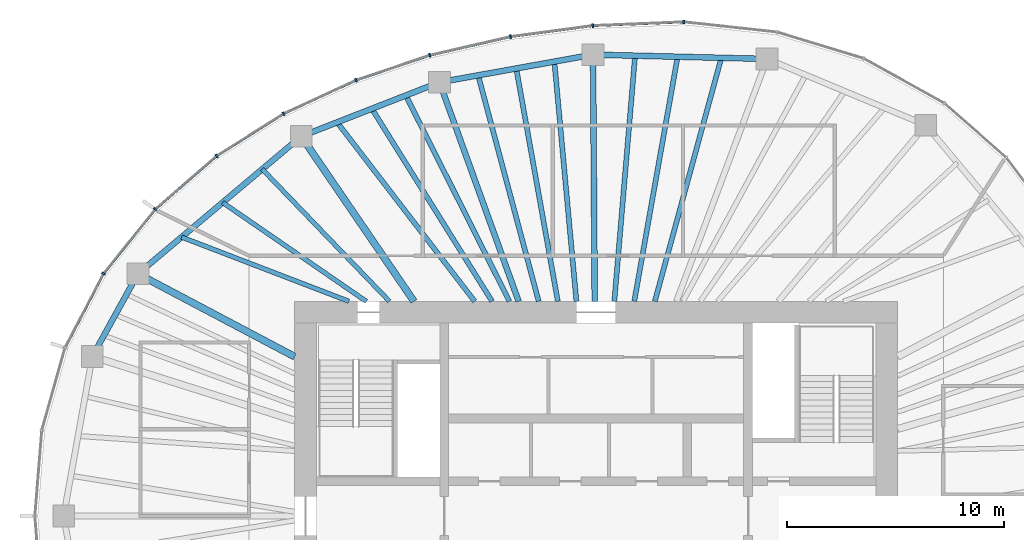
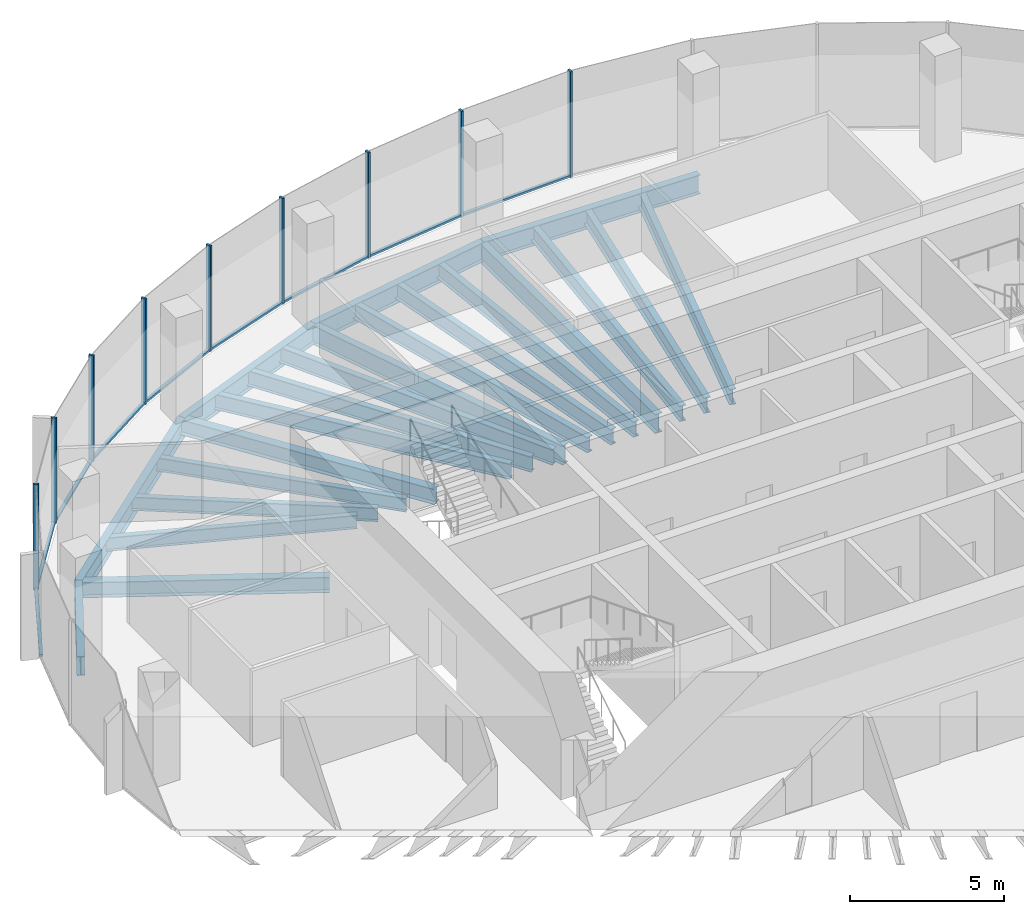
# One storey, part 5 of 11: 21 beams, 18 members, 5 elements without a shape of their own.
"""IFC4 building model written with IfcOpenShell, lengths in metres."""

from ifc_helpers import new_model, si_unit, direction, frame, origin, origin_2d, place, context, subcontext, project, spatial, rectangle, i_section, extrude, material, material_profile, profile_set, type_object, element, aggregate, save


model = new_model("IFC4")

# Units and contexts
model_context = context("Model", 3, precision=1e-05, world=origin(), true_north=direction((0.0, 1.0)))
body_context = subcontext(model_context, "Body", "Model", "MODEL_VIEW")
ifc_project = project(units=[si_unit("LENGTHUNIT", "METRE"), si_unit("AREAUNIT", "SQUARE_METRE"), si_unit("VOLUMEUNIT", "CUBIC_METRE"), si_unit("PLANEANGLEUNIT", "RADIAN"), si_unit("MASSUNIT", "GRAM", prefix="KILO")], contexts=[model_context])

# Site, building, storey
site_placement = place(None, origin())
site = spatial("IfcSite", under=ifc_project, at=site_placement, CompositionType="ELEMENT")
building_placement = place(site_placement, origin())
building = spatial("IfcBuilding", under=site, at=building_placement, Name="Ghaith Harvest Tower", CompositionType="ELEMENT")
storey_placement = place(building_placement, frame((0.0, 0.0, 317.39990234375)))
storey = spatial("IfcBuildingStorey", under=building, at=storey_placement, Name="L71", CompositionType="ELEMENT", Elevation=317.39990234375)

# Curtain wall, member
ifc_material_1 = material(Name="Black anodised aluminium and fritted glass", Category="aluminium")
curtain_wall_type = type_object("IfcCurtainWallType", Name="CW-T CURTAIN WALL", PredefinedType="NOTDEFINED", material=ifc_material_1)
curtain_wall_1_placement = place(storey_placement, origin())
curtain_wall_1 = element("IfcCurtainWall", 1, at=curtain_wall_1_placement, inside=storey, type_object=curtain_wall_type, Name="Curtain wall CW-T bay 05 L71", PredefinedType="NOTDEFINED")
ifc_material_2 = material(Name="Aluminium, black anodised", Category="aluminium")
ifc_material_profile_1 = material_profile(ifc_material_2, rectangle(XDim=0.080078125, YDim=0.179931640625, at=origin_2d()), Name="CW-T MULLION 80x180")
ifc_profile_set_1 = profile_set([ifc_material_profile_1], Name="Aluminium, black anodised")
member_type_1 = type_object("IfcMemberType", Name="CW-T MULLION 80x180", PredefinedType="MULLION", material=ifc_profile_set_1)
member_1_placement = place(storey_placement, frame((4.037841796875, 22.776611328125, 0.0), z_axis=(0.0, 0.0, 1.0), x_axis=(-0.999388631236, 0.034962319079, 0.0)))
member_1 = element("IfcMember", 2, at=member_1_placement, type_object=member_type_1, Name="CW-T mullion 2 bay 05 L71", PredefinedType="MULLION", context=body_context, shape_type="SweptSolid", body=[
    extrude(rectangle(XDim=0.080078125, YDim=0.179931640625, at=origin_2d()), origin(), (0.0, 0.0, 1.0), 4.2001953125),
])

# Curtain wall, members
curtain_wall_2_placement = place(storey_placement, origin())
curtain_wall_2 = element("IfcCurtainWall", 3, at=curtain_wall_2_placement, inside=storey, type_object=curtain_wall_type, Name="Curtain wall CW-T bay 06 L71", PredefinedType="NOTDEFINED")
member_2_placement = place(storey_placement, frame((-0.15478515625, 22.60595703125, 0.0), z_axis=(0.0, 0.0, 1.0), x_axis=(-0.996414855482, -0.084601629853, 0.0)))
member_2 = element("IfcMember", 4, at=member_2_placement, type_object=member_type_1, Name="CW-T mullion 1 bay 06 L71", PredefinedType="MULLION", context=body_context, shape_type="SweptSolid", body=[
    extrude(rectangle(XDim=0.080078125, YDim=0.179931640625, at=origin_2d()), origin(), (0.0, 0.0, 1.0), 4.2001953125),
])
member_3_placement = place(storey_placement, frame((-3.946533203125, 22.0986328125, 0.0), z_axis=(0.0, 0.0, 1.0), x_axis=(-0.983843447681, -0.179030920389, 0.0)))
member_3 = element("IfcMember", 5, at=member_3_placement, type_object=member_type_1, Name="CW-T mullion 2 bay 06 L71", PredefinedType="MULLION", context=body_context, shape_type="SweptSolid", body=[
    extrude(rectangle(XDim=0.080078125, YDim=0.179931640625, at=origin_2d()), origin(), (0.0, 0.0, 1.0), 4.2001953125),
])

curtain_wall_3_placement = place(storey_placement, origin())
curtain_wall_3 = element("IfcCurtainWall", 6, at=curtain_wall_3_placement, inside=storey, type_object=curtain_wall_type, Name="Curtain wall CW-T bay 07 L71", PredefinedType="NOTDEFINED")
member_4_placement = place(storey_placement, frame((-7.6708984375, 21.23828125, 0.0), z_axis=(0.0, 0.0, 1.0), x_axis=(-0.962552491436, -0.27109537294, 0.0)))
member_4 = element("IfcMember", 7, at=member_4_placement, type_object=member_type_1, Name="CW-T mullion 1 bay 07 L71", PredefinedType="MULLION", context=body_context, shape_type="SweptSolid", body=[
    extrude(rectangle(XDim=0.080078125, YDim=0.179931640625, at=origin_2d()), origin(), (0.0, 0.0, 1.0), 4.2001953125),
])
member_5_placement = place(storey_placement, frame((-11.0673828125, 20.093017578125, 0.0), z_axis=(0.0, 0.0, 1.0), x_axis=(-0.928624420706, -0.371021138573, 0.0)))
member_5 = element("IfcMember", 8, at=member_5_placement, type_object=member_type_1, Name="CW-T mullion 2 bay 07 L71", PredefinedType="MULLION", context=body_context, shape_type="SweptSolid", body=[
    extrude(rectangle(XDim=0.080078125, YDim=0.179931640625, at=origin_2d()), origin(), (0.0, 0.0, 1.0), 4.2001953125),
])

curtain_wall_4_placement = place(storey_placement, origin())
curtain_wall_4 = element("IfcCurtainWall", 9, at=curtain_wall_4_placement, inside=storey, type_object=curtain_wall_type, Name="Curtain wall CW-T bay 08 L71", PredefinedType="NOTDEFINED")
member_6_placement = place(storey_placement, frame((-14.40478515625, 18.5478515625, 0.0), z_axis=(0.0, 0.0, 1.0), x_axis=(-0.87867173244, -0.477426420101, 0.0)))
member_6 = element("IfcMember", 10, at=member_6_placement, type_object=member_type_1, Name="CW-T mullion 1 bay 08 L71", PredefinedType="MULLION", context=body_context, shape_type="SweptSolid", body=[
    extrude(rectangle(XDim=0.080078125, YDim=0.179931640625, at=origin_2d()), origin(), (0.0, 0.0, 1.0), 4.2001953125),
])
member_7_placement = place(storey_placement, frame((-17.49462890625, 16.600830078125, 0.0), z_axis=(0.0, 0.0, 1.0), x_axis=(-0.802189888678, -0.597068993084, 0.0)))
member_7 = element("IfcMember", 11, at=member_7_placement, type_object=member_type_1, Name="CW-T mullion 2 bay 08 L71", PredefinedType="MULLION", context=body_context, shape_type="SweptSolid", body=[
    extrude(rectangle(XDim=0.080078125, YDim=0.179931640625, at=origin_2d()), origin(), (0.0, 0.0, 1.0), 4.2001953125),
])

curtain_wall_5_placement = place(storey_placement, origin())
curtain_wall_5 = element("IfcCurtainWall", 12, at=curtain_wall_5_placement, inside=storey, type_object=curtain_wall_type, Name="Curtain wall CW-T bay 09 L71", PredefinedType="NOTDEFINED")
member_8_placement = place(storey_placement, frame((-20.324462890625, 14.141845703125, 0.0), z_axis=(0.0, 0.0, 1.0), x_axis=(-0.692826491995, -0.72110432809, 0.0)))
member_8 = element("IfcMember", 13, at=member_8_placement, type_object=member_type_1, Name="CW-T mullion 1 bay 09 L71", PredefinedType="MULLION", context=body_context, shape_type="SweptSolid", body=[
    extrude(rectangle(XDim=0.080078125, YDim=0.179931640625, at=origin_2d()), origin(), (0.0, 0.0, 1.0), 4.2001953125),
])
member_9_placement = place(storey_placement, frame((-22.706298828125, 11.176513671875, 0.0), z_axis=(0.0, 0.0, 1.0), x_axis=(-0.545865412621, -0.837872872997, 0.0)))
member_9 = element("IfcMember", 14, at=member_9_placement, type_object=member_type_1, Name="CW-T mullion 2 bay 09 L71", PredefinedType="MULLION", context=body_context, shape_type="SweptSolid", body=[
    extrude(rectangle(XDim=0.080078125, YDim=0.179931640625, at=origin_2d()), origin(), (0.0, 0.0, 1.0), 4.2001953125),
])

# Member
ifc_material_3 = material(Name="Aluminium, black anodised", Category="aluminium")
ifc_material_profile_2 = material_profile(ifc_material_3, rectangle(XDim=0.1201171875, YDim=0.080078125, at=origin_2d()), Name="CW-T TRANSOM 120x80")
ifc_profile_set_2 = profile_set([ifc_material_profile_2], Name="Aluminium, black anodised")
member_type_2 = type_object("IfcMemberType", Name="CW-T TRANSOM 120x80", PredefinedType="USERDEFINED", material=ifc_profile_set_2)
member_10_placement = place(storey_placement, frame((3.997802734375, 22.77490234375, 0.0400390625), z_axis=(-0.999174207562, -0.040631304968, 0.0), x_axis=(0.040631304968, -0.999174207562, 0.0)))
member_10 = element("IfcMember", 15, at=member_10_placement, type_object=member_type_2, Name="CW-T transom 2 bay 05 L71", ObjectType="TRANSOM", PredefinedType="USERDEFINED", context=body_context, shape_type="SweptSolid", body=[
    extrude(rectangle(XDim=0.1201171875, YDim=0.080078125, at=origin_2d()), origin(), (0.0, 0.0, 1.0), 4.115966796875),
])

aggregate(curtain_wall_1, [member_1, member_10])

member_11_placement = place(storey_placement, frame((-0.1943359375, 22.6005859375, 0.0400390625), z_axis=(-0.99117202259, -0.132582131655, 0.0), x_axis=(0.132582131655, -0.99117202259, 0.0)))
member_11 = element("IfcMember", 16, at=member_11_placement, type_object=member_type_2, Name="CW-T transom 1 bay 06 L71", ObjectType="TRANSOM", PredefinedType="USERDEFINED", context=body_context, shape_type="SweptSolid", body=[
    extrude(rectangle(XDim=0.1201171875, YDim=0.080078125, at=origin_2d()), origin(), (0.0, 0.0, 1.0), 3.745361328125),
])

member_12_placement = place(storey_placement, frame((-3.9853515625, 22.089599609375, 0.0400390625), z_axis=(-0.974344997799, -0.225059603803, 0.0), x_axis=(0.225059603803, -0.974344997799, 0.0)))
member_12 = element("IfcMember", 17, at=member_12_placement, type_object=member_type_2, Name="CW-T transom 2 bay 06 L71", ObjectType="TRANSOM", PredefinedType="USERDEFINED", context=body_context, shape_type="SweptSolid", body=[
    extrude(rectangle(XDim=0.1201171875, YDim=0.080078125, at=origin_2d()), origin(), (0.0, 0.0, 1.0), 3.742431640625),
])

aggregate(curtain_wall_2, [member_2, member_11, member_3, member_12])

member_13_placement = place(storey_placement, frame((-7.708740234375, 21.2255859375, 0.0400390625), z_axis=(-0.9475698206, -0.319548799228, 0.0), x_axis=(0.319548799228, -0.9475698206, 0.0)))
member_13 = element("IfcMember", 18, at=member_13_placement, type_object=member_type_2, Name="CW-T transom 1 bay 07 L71", ObjectType="TRANSOM", PredefinedType="USERDEFINED", context=body_context, shape_type="SweptSolid", body=[
    extrude(rectangle(XDim=0.1201171875, YDim=0.080078125, at=origin_2d()), origin(), (0.0, 0.0, 1.0), 3.504638671875),
])

member_14_placement = place(storey_placement, frame((-11.103759765625, 20.076171875, 0.0400390625), z_axis=(-0.907472177056, -0.420112184862, 0.0), x_axis=(0.420112184862, -0.907472177056, 0.0)))
member_14 = element("IfcMember", 19, at=member_14_placement, type_object=member_type_2, Name="CW-T transom 2 bay 07 L71", ObjectType="TRANSOM", PredefinedType="USERDEFINED", context=body_context, shape_type="SweptSolid", body=[
    extrude(rectangle(XDim=0.1201171875, YDim=0.080078125, at=origin_2d()), origin(), (0.0, 0.0, 1.0), 3.597900390625),
])

aggregate(curtain_wall_3, [member_4, member_13, member_5, member_14])

member_15_placement = place(storey_placement, frame((-14.438720703125, 18.5263671875, 0.0400390625), z_axis=(-0.846053602505, -0.533097835006, 0.0), x_axis=(0.533097835006, -0.846053602505, 0.0)))
member_15 = element("IfcMember", 20, at=member_15_placement, type_object=member_type_2, Name="CW-T transom 1 bay 08 L71", ObjectType="TRANSOM", PredefinedType="USERDEFINED", context=body_context, shape_type="SweptSolid", body=[
    extrude(rectangle(XDim=0.1201171875, YDim=0.080078125, at=origin_2d()), origin(), (0.0, 0.0, 1.0), 3.572021484375),
])

member_16_placement = place(storey_placement, frame((-17.52490234375, 16.574462890625, 0.0400390625), z_axis=(-0.754851889287, -0.65589528527, 0.0), x_axis=(0.65589528527, -0.754851889287, 0.0)))
member_16 = element("IfcMember", 21, at=member_16_placement, type_object=member_type_2, Name="CW-T transom 2 bay 08 L71", ObjectType="TRANSOM", PredefinedType="USERDEFINED", context=body_context, shape_type="SweptSolid", body=[
    extrude(rectangle(XDim=0.1201171875, YDim=0.080078125, at=origin_2d()), origin(), (0.0, 0.0, 1.0), 3.668701171875),
])

aggregate(curtain_wall_4, [member_6, member_15, member_7, member_16])

member_17_placement = place(storey_placement, frame((-20.349365234375, 14.110595703125, 0.0400390625), z_axis=(-0.626253073761, -0.779619835307, 0.0), x_axis=(0.779619835307, -0.626253073761, 0.0)))
member_17 = element("IfcMember", 22, at=member_17_placement, type_object=member_type_2, Name="CW-T transom 1 bay 09 L71", ObjectType="TRANSOM", PredefinedType="USERDEFINED", context=body_context, shape_type="SweptSolid", body=[
    extrude(rectangle(XDim=0.1201171875, YDim=0.080078125, at=origin_2d()), origin(), (0.0, 0.0, 1.0), 3.723388671875),
])

member_18_placement = place(storey_placement, frame((-22.724609375, 11.14111328125, 0.0400390625), z_axis=(-0.461242681347, -0.887274021317, 0.0), x_axis=(0.887274021317, -0.461242681347, 0.0)))
member_18 = element("IfcMember", 23, at=member_18_placement, type_object=member_type_2, Name="CW-T transom 2 bay 09 L71", ObjectType="TRANSOM", PredefinedType="USERDEFINED", context=body_context, shape_type="SweptSolid", body=[
    extrude(rectangle(XDim=0.1201171875, YDim=0.080078125, at=origin_2d()), origin(), (0.0, 0.0, 1.0), 3.77197265625),
])

aggregate(curtain_wall_5, [member_8, member_17, member_9, member_18])

# Beams
ifc_material_4 = material(Name="Steel ASTM A992 Grade 50", Category="steel")
ifc_material_profile_3 = material_profile(ifc_material_4, i_section(OverallWidth=0.26611328125, OverallDepth=0.758056640625, WebThickness=0.013916015625, FlangeThickness=0.019287109375, at=origin_2d()), Name="W760X161")
ifc_profile_set_3 = profile_set([ifc_material_profile_3], Name="Steel ASTM A992 Grade 50")
beam_type_1 = type_object("IfcBeamType", Name="E760-161 W760X161", PredefinedType="SPANDREL", material=ifc_profile_set_3)
beam_1_placement = place(storey_placement, frame((7.8779296875, 21.072021484375, -0.548828125), z_axis=(-0.999692679676, 0.024790042413, 0.0), x_axis=(-0.024790042413, -0.999692679676, 0.0)))
element("IfcBeam", 24, at=beam_1_placement, inside=storey, type_object=beam_type_1, Name="Edge beam E05 L71", PredefinedType="SPANDREL", context=body_context, shape_type="SweptSolid", body=[
    extrude(i_section(OverallWidth=0.26611328125, OverallDepth=0.758056640625, WebThickness=0.013916015625, FlangeThickness=0.019287109375, at=origin_2d()), origin(), (0.0, 0.0, 1.0), 8.0263671875),
])
beam_2_placement = place(storey_placement, frame((-0.14599609375, 21.27099609375, -0.548828125), z_axis=(-0.984177047684, -0.177187863051, 0.0), x_axis=(0.177187863051, -0.984177047684, 0.0)))
element("IfcBeam", 25, at=beam_2_placement, inside=storey, type_object=beam_type_1, Name="Edge beam E06 L71", PredefinedType="SPANDREL", context=body_context, shape_type="SweptSolid", body=[
    extrude(i_section(OverallWidth=0.26611328125, OverallDepth=0.758056640625, WebThickness=0.013916015625, FlangeThickness=0.019287109375, at=origin_2d()), origin(), (0.0, 0.0, 1.0), 7.189697265625),
])
beam_3_placement = place(storey_placement, frame((-7.221923828125, 19.9970703125, -0.548828125), z_axis=(-0.931322768207, -0.364194867371, 0.0), x_axis=(0.364194867371, -0.931322768207, 0.0)))
element("IfcBeam", 26, at=beam_3_placement, inside=storey, type_object=beam_type_1, Name="Edge beam E07 L71", PredefinedType="SPANDREL", context=body_context, shape_type="SweptSolid", body=[
    extrude(i_section(OverallWidth=0.26611328125, OverallDepth=0.758056640625, WebThickness=0.013916015625, FlangeThickness=0.019287109375, at=origin_2d()), origin(), (0.0, 0.0, 1.0), 6.843017578125),
])
beam_4_placement = place(storey_placement, frame((-13.594970703125, 17.5048828125, -0.548828125), z_axis=(-0.765021818761, -0.64400436087, 0.0), x_axis=(0.64400436087, -0.765021818761, 0.0)))
element("IfcBeam", 27, at=beam_4_placement, inside=storey, type_object=beam_type_1, Name="Edge beam E08 L71", PredefinedType="SPANDREL", context=body_context, shape_type="SweptSolid", body=[
    extrude(i_section(OverallWidth=0.26611328125, OverallDepth=0.758056640625, WebThickness=0.013916015625, FlangeThickness=0.019287109375, at=origin_2d()), origin(), (0.0, 0.0, 1.0), 9.8427734375),
])
beam_5_placement = place(storey_placement, frame((-21.125, 11.166015625, -0.548828125), z_axis=(-0.482955575345, -0.875644855089, 0.0), x_axis=(0.875644855089, -0.482955575345, 0.0)))
element("IfcBeam", 28, at=beam_5_placement, inside=storey, type_object=beam_type_1, Name="Edge beam E09 L71", PredefinedType="SPANDREL", context=body_context, shape_type="SweptSolid", body=[
    extrude(i_section(OverallWidth=0.26611328125, OverallDepth=0.758056640625, WebThickness=0.013916015625, FlangeThickness=0.019287109375, at=origin_2d()), origin(), (0.0, 0.0, 1.0), 4.346435546875),
])
ifc_material_5 = material(Name="Steel ASTM A992 Grade 50", Category="steel")
ifc_material_profile_4 = material_profile(ifc_material_5, i_section(OverallWidth=0.323974609375, OverallDepth=0.611083984375, WebThickness=0.0126953125, FlangeThickness=0.01904296875, at=origin_2d()), Name="W610X155")
ifc_profile_set_4 = profile_set([ifc_material_profile_4], Name="Steel ASTM A992 Grade 50")
beam_type_2 = type_object("IfcBeamType", Name="G610-155 W610X155", PredefinedType="BEAM", material=ifc_profile_set_4)
beam_6_placement = place(storey_placement, frame((-8.39990234375, 9.89990234375, -0.475341796875), z_axis=(-0.564067018201, 0.825729010619, 0.0), x_axis=(-0.825729010619, -0.564067018201, 0.0)))
element("IfcBeam", 29, at=beam_6_placement, inside=storey, type_object=beam_type_2, Name="Radial girder G08 L71", PredefinedType="BEAM", context=body_context, shape_type="SweptSolid", body=[
    extrude(i_section(OverallWidth=0.323974609375, OverallDepth=0.611083984375, WebThickness=0.0126953125, FlangeThickness=0.01904296875, at=origin_2d()), origin(), (0.0, 0.0, 1.0), 9.2099609375),
])
beam_7_placement = place(storey_placement, frame((-13.89990234375, 7.34716796875, -0.475341796875), z_axis=(-0.88410164037, 0.467294649546, 0.0), x_axis=(-0.467294649546, -0.88410164037, 0.0)))
element("IfcBeam", 30, at=beam_7_placement, inside=storey, type_object=beam_type_2, Name="Radial girder G09 L71", PredefinedType="BEAM", context=body_context, shape_type="SweptSolid", body=[
    extrude(i_section(OverallWidth=0.323974609375, OverallDepth=0.611083984375, WebThickness=0.0126953125, FlangeThickness=0.01904296875, at=origin_2d()), origin(), (0.0, 0.0, 1.0), 8.17236328125),
])
ifc_material_6 = material(Name="Steel ASTM A992 Grade 50", Category="steel")
ifc_material_profile_5 = material_profile(ifc_material_6, i_section(OverallWidth=0.26611328125, OverallDepth=0.758056640625, WebThickness=0.013916015625, FlangeThickness=0.019287109375, at=origin_2d()), Name="W760X161")
ifc_profile_set_5 = profile_set([ifc_material_profile_5], Name="Steel ASTM A992 Grade 50")
beam_type_3 = type_object("IfcBeamType", Name="G760-161 W760X161", PredefinedType="BEAM", material=ifc_profile_set_5)
beam_8_placement = place(storey_placement, frame((-0.06787109375, 9.89990234375, -0.548828125), z_axis=(-0.00687032909, 0.999976399011, 0.0), x_axis=(-0.999976399011, -0.00687032909, 0.0)))
element("IfcBeam", 31, at=beam_8_placement, inside=storey, type_object=beam_type_3, Name="Radial girder G06 L71", PredefinedType="BEAM", context=body_context, shape_type="SweptSolid", body=[
    extrude(i_section(OverallWidth=0.26611328125, OverallDepth=0.758056640625, WebThickness=0.013916015625, FlangeThickness=0.019287109375, at=origin_2d()), origin(), (0.0, 0.0, 1.0), 11.371337890625),
])
beam_9_placement = place(storey_placement, frame((-3.57568359375, 9.89990234375, -0.548828125), z_axis=(-0.339647816823, 0.940552688863, 0.0), x_axis=(-0.940552688863, -0.339647816823, 0.0)))
element("IfcBeam", 32, at=beam_9_placement, inside=storey, type_object=beam_type_3, Name="Radial girder G07 L71", PredefinedType="BEAM", context=body_context, shape_type="SweptSolid", body=[
    extrude(i_section(OverallWidth=0.26611328125, OverallDepth=0.758056640625, WebThickness=0.013916015625, FlangeThickness=0.019287109375, at=origin_2d()), origin(), (0.0, 0.0, 1.0), 10.7353515625),
])
ifc_material_7 = material(Name="Steel ASTM A992 Grade 50", Category="steel")
ifc_material_profile_6 = material_profile(ifc_material_7, i_section(OverallWidth=0.2109375, OverallDepth=0.5390625, WebThickness=0.01171875, FlangeThickness=0.018798828125, at=origin_2d()), Name="W530X109")
ifc_profile_set_6 = profile_set([ifc_material_profile_6], Name="Steel ASTM A992 Grade 50")
beam_type_4 = type_object("IfcBeamType", Name="J530-109 W530X109", PredefinedType="JOIST", material=ifc_profile_set_6)
beam_10_placement = place(storey_placement, frame((-9.530517578125, 9.89990234375, -0.439453125), z_axis=(-0.693536238632, 0.720421741554, 0.0), x_axis=(-0.720421741554, -0.693536238632, 0.0)))
element("IfcBeam", 33, at=beam_10_placement, inside=storey, type_object=beam_type_4, Name="Joist J08.1 L71", PredefinedType="JOIST", context=body_context, shape_type="SweptSolid", body=[
    extrude(i_section(OverallWidth=0.2109375, OverallDepth=0.5390625, WebThickness=0.01171875, FlangeThickness=0.018798828125, at=origin_2d()), origin(), (0.0, 0.0, 1.0), 8.4541015625),
])
beam_11_placement = place(storey_placement, frame((-10.60009765625, 9.89990234375, -0.439453125), z_axis=(-0.823778502511, 0.566911791023, 0.0), x_axis=(-0.566911791023, -0.823778502511, 0.0)))
element("IfcBeam", 34, at=beam_11_placement, inside=storey, type_object=beam_type_4, Name="Joist J08.2 L71", PredefinedType="JOIST", context=body_context, shape_type="SweptSolid", body=[
    extrude(i_section(OverallWidth=0.2109375, OverallDepth=0.5390625, WebThickness=0.01171875, FlangeThickness=0.018798828125, at=origin_2d()), origin(), (0.0, 0.0, 1.0), 8.0341796875),
])
beam_12_placement = place(storey_placement, frame((-11.39990234375, 9.89990234375, -0.439453125), z_axis=(-0.933583045329, 0.358361127181, 0.0), x_axis=(-0.358361127181, -0.933583045329, 0.0)))
element("IfcBeam", 35, at=beam_12_placement, inside=storey, type_object=beam_type_4, Name="Joist J08.3 L71", PredefinedType="JOIST", context=body_context, shape_type="SweptSolid", body=[
    extrude(i_section(OverallWidth=0.2109375, OverallDepth=0.5390625, WebThickness=0.01171875, FlangeThickness=0.018798828125, at=origin_2d()), origin(), (0.0, 0.0, 1.0), 8.260986328125),
])
ifc_material_8 = material(Name="Steel ASTM A992 Grade 50", Category="steel")
ifc_material_profile_7 = material_profile(ifc_material_8, i_section(OverallWidth=0.22998046875, OverallDepth=0.616943359375, WebThickness=0.01318359375, FlangeThickness=0.022216796875, at=origin_2d()), Name="W610X140")
ifc_profile_set_7 = profile_set([ifc_material_profile_7], Name="Steel ASTM A992 Grade 50")
beam_type_5 = type_object("IfcBeamType", Name="J610-140 W610X140", PredefinedType="JOIST", material=ifc_profile_set_7)
beam_13_placement = place(storey_placement, frame((2.70361328125, 9.89990234375, -0.478515625), z_axis=(0.263456499314, 0.964671277156, 0.0), x_axis=(-0.964671277156, 0.263456499314, 0.0)))
element("IfcBeam", 36, at=beam_13_placement, inside=storey, type_object=beam_type_5, Name="Joist J05.1 L71", PredefinedType="JOIST", context=body_context, shape_type="SweptSolid", body=[
    extrude(i_section(OverallWidth=0.22998046875, OverallDepth=0.616943359375, WebThickness=0.01318359375, FlangeThickness=0.022216796875, at=origin_2d()), origin(), (0.0, 0.0, 1.0), 11.635498046875),
])
beam_14_placement = place(storey_placement, frame((1.7548828125, 9.89990234375, -0.478515625), z_axis=(0.174562528022, 0.984646090639, 0.0), x_axis=(-0.984646090639, 0.174562528022, 0.0)))
element("IfcBeam", 37, at=beam_14_placement, inside=storey, type_object=beam_type_5, Name="Joist J05.2 L71", PredefinedType="JOIST", context=body_context, shape_type="SweptSolid", body=[
    extrude(i_section(OverallWidth=0.22998046875, OverallDepth=0.616943359375, WebThickness=0.01318359375, FlangeThickness=0.022216796875, at=origin_2d()), origin(), (0.0, 0.0, 1.0), 11.4501953125),
])
beam_15_placement = place(storey_placement, frame((0.836669921875, 9.89990234375, -0.478515625), z_axis=(0.084199386432, 0.996448926601, 0.0), x_axis=(-0.996448926601, 0.084199386432, 0.0)))
element("IfcBeam", 38, at=beam_15_placement, inside=storey, type_object=beam_type_5, Name="Joist J05.3 L71", PredefinedType="JOIST", context=body_context, shape_type="SweptSolid", body=[
    extrude(i_section(OverallWidth=0.22998046875, OverallDepth=0.616943359375, WebThickness=0.01318359375, FlangeThickness=0.022216796875, at=origin_2d()), origin(), (0.0, 0.0, 1.0), 11.36328125),
])
beam_16_placement = place(storey_placement, frame((-0.9111328125, 9.89990234375, -0.478515625), z_axis=(-0.091654473201, 0.995790870385, 0.0), x_axis=(-0.995790870385, -0.091654473201, 0.0)))
element("IfcBeam", 39, at=beam_16_placement, inside=storey, type_object=beam_type_5, Name="Joist J06.1 L71", PredefinedType="JOIST", context=body_context, shape_type="SweptSolid", body=[
    extrude(i_section(OverallWidth=0.22998046875, OverallDepth=0.616943359375, WebThickness=0.01318359375, FlangeThickness=0.022216796875, at=origin_2d()), origin(), (0.0, 0.0, 1.0), 11.096923828125),
])
beam_17_placement = place(storey_placement, frame((-1.76806640625, 9.89990234375, -0.478515625), z_axis=(-0.175789088574, 0.984427852277, 0.0), x_axis=(-0.984427852277, -0.175789088574, 0.0)))
element("IfcBeam", 40, at=beam_17_placement, inside=storey, type_object=beam_type_5, Name="Joist J06.2 L71", PredefinedType="JOIST", context=body_context, shape_type="SweptSolid", body=[
    extrude(i_section(OverallWidth=0.22998046875, OverallDepth=0.616943359375, WebThickness=0.01318359375, FlangeThickness=0.022216796875, at=origin_2d()), origin(), (0.0, 0.0, 1.0), 10.903564453125),
])
beam_18_placement = place(storey_placement, frame((-2.651123046875, 9.89990234375, -0.478515625), z_axis=(-0.258678376387, 0.96596350738, 0.0), x_axis=(-0.96596350738, -0.258678376387, 0.0)))
element("IfcBeam", 41, at=beam_18_placement, inside=storey, type_object=beam_type_5, Name="Joist J06.3 L71", PredefinedType="JOIST", context=body_context, shape_type="SweptSolid", body=[
    extrude(i_section(OverallWidth=0.22998046875, OverallDepth=0.616943359375, WebThickness=0.01318359375, FlangeThickness=0.022216796875, at=origin_2d()), origin(), (0.0, 0.0, 1.0), 10.784912109375),
])
beam_19_placement = place(storey_placement, frame((-4.0, 9.89990234375, -0.478515625), z_axis=(-0.449556131123, 0.893252083664, 0.0), x_axis=(-0.893252083664, -0.449556131123, 0.0)))
element("IfcBeam", 42, at=beam_19_placement, inside=storey, type_object=beam_type_5, Name="Joist J07.1 L71", PredefinedType="JOIST", context=body_context, shape_type="SweptSolid", body=[
    extrude(i_section(OverallWidth=0.22998046875, OverallDepth=0.616943359375, WebThickness=0.01318359375, FlangeThickness=0.022216796875, at=origin_2d()), origin(), (0.0, 0.0, 1.0), 10.62353515625),
])
beam_20_placement = place(storey_placement, frame((-4.800048828125, 9.89990234375, -0.478515625), z_axis=(-0.529596254905, 0.848249849273, 0.0), x_axis=(-0.848249849273, -0.529596254905, 0.0)))
element("IfcBeam", 43, at=beam_20_placement, inside=storey, type_object=beam_type_5, Name="Joist J07.2 L71", PredefinedType="JOIST", context=body_context, shape_type="SweptSolid", body=[
    extrude(i_section(OverallWidth=0.22998046875, OverallDepth=0.616943359375, WebThickness=0.01318359375, FlangeThickness=0.022216796875, at=origin_2d()), origin(), (0.0, 0.0, 1.0), 10.465087890625),
])
beam_21_placement = place(storey_placement, frame((-5.60009765625, 9.89990234375, -0.478515625), z_axis=(-0.609353577926, 0.792898617144, 0.0), x_axis=(-0.792898617144, -0.609353577926, 0.0)))
element("IfcBeam", 44, at=beam_21_placement, inside=storey, type_object=beam_type_5, Name="Joist J07.3 L71", PredefinedType="JOIST", context=body_context, shape_type="SweptSolid", body=[
    extrude(i_section(OverallWidth=0.22998046875, OverallDepth=0.616943359375, WebThickness=0.01318359375, FlangeThickness=0.022216796875, at=origin_2d()), origin(), (0.0, 0.0, 1.0), 10.406982421875),
])

save(model, "model.ifc")
